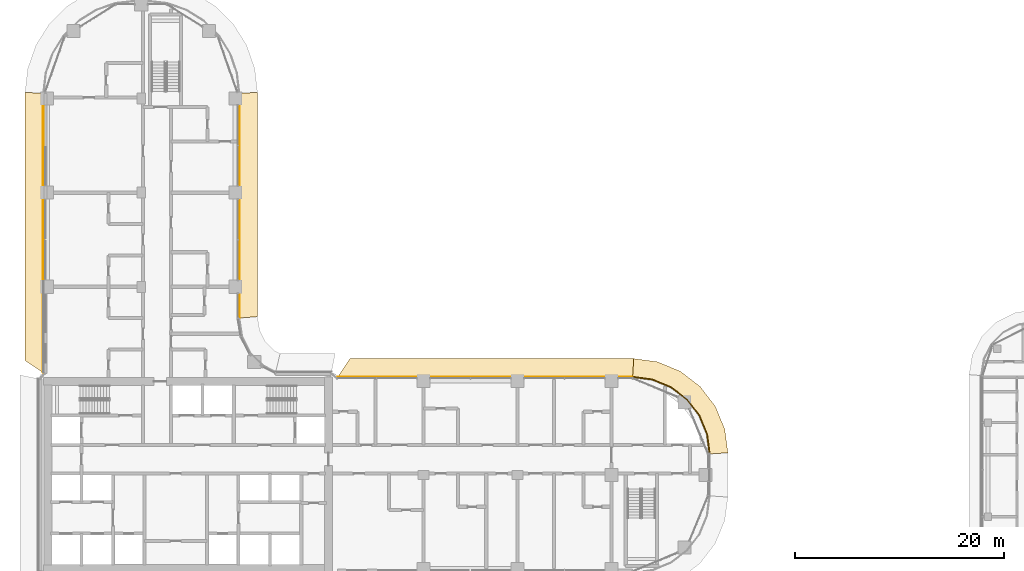
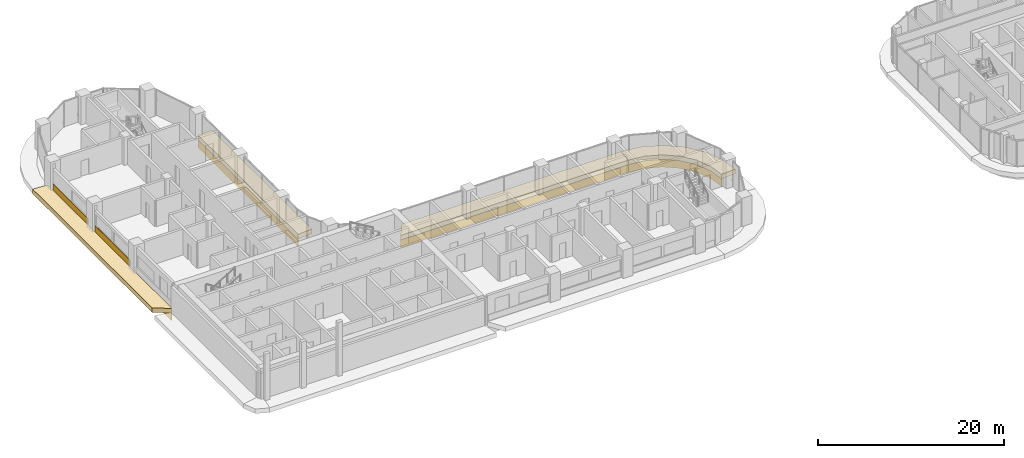
# One storey, part 29 of 33: 10 coverings.
"""IFC4 building model written with IfcOpenShell, lengths in metres."""

from ifc_helpers import new_model, si_unit, direction, frame, origin, origin_2d, place, context, subcontext, project, spatial, polyline, rectangle, outline, extrude, material, layer, layer_set, type_object, element, save


model = new_model("IFC4")

# Units and contexts
model_context = context("Model", 3, precision=1e-05, world=origin(), true_north=direction((0.0, 1.0)))
body_context = subcontext(model_context, "Body", "Model", "MODEL_VIEW")
ifc_project = project(units=[si_unit("LENGTHUNIT", "METRE"), si_unit("AREAUNIT", "SQUARE_METRE"), si_unit("VOLUMEUNIT", "CUBIC_METRE"), si_unit("PLANEANGLEUNIT", "RADIAN"), si_unit("MASSUNIT", "GRAM", prefix="KILO")], contexts=[model_context])

# Site, building, storey
site_placement = place(None, origin())
site = spatial("IfcSite", under=ifc_project, at=site_placement, CompositionType="ELEMENT")
building_placement = place(site_placement, origin())
building = spatial("IfcBuilding", under=site, at=building_placement, Name="Ogive Portal Towers", CompositionType="ELEMENT")
storey_placement = place(building_placement, frame((0.0, 0.0, 98.199951171875)))
storey = spatial("IfcBuildingStorey", under=building, at=storey_placement, Name="L23", CompositionType="ELEMENT", Elevation=98.199951171875)

# Coverings
ifc_material = material(Name="Limestone cladding on lightweight block wall", Category="masonry")
ifc_layer_1 = layer(ifc_material, 0.050048828125)
ifc_layer_set_1 = layer_set([ifc_layer_1], Name="SCREEN PERFORATED STONE")
covering_type_1 = type_object("IfcCoveringType", Name="SCREEN PERFORATED STONE", PredefinedType="CLADDING", material=ifc_layer_set_1)
for number, where, z_axis, x_axis, name in (
    (1, (31.155029296875, 62.0, 0.10009765625), (0.0, 0.0, 1.0), (0.0, -1.0, 0.0), "Tracery screen"),
    (2, (31.155029296875, 53.0, 0.10009765625), (0.0, 0.0, 1.0), (0.0, -1.0, 0.0), "Tracery screen"),
):
    element("IfcCovering", number, at=place(storey_placement, frame(where, z_axis=z_axis, x_axis=x_axis)), inside=storey, type_object=covering_type_1, Name=name, PredefinedType="CLADDING", context=body_context, shape_type="SweptSolid", body=[
        extrude(rectangle(XDim=7.550048828125, YDim=0.050048828125, at=origin_2d()), origin(), (0.0, 0.0, 1.0), 0.800048828125),
    ])
ifc_layer_2 = layer(ifc_material, 0.080078125)
ifc_layer_set_2 = layer_set([ifc_layer_2], Name="STONE SPANDREL 80")
covering_type_2 = type_object("IfcCoveringType", Name="STONE SPANDREL 80", PredefinedType="CLADDING", material=ifc_layer_set_2)
covering_1_placement = place(storey_placement, frame((0.0, 0.0, -1.599853515625)))
element("IfcCovering", 3, at=covering_1_placement, inside=storey, type_object=covering_type_2, Name="Stone spandrel A1-F04", PredefinedType="CLADDING", context=body_context, shape_type="SweptSolid", body=[
    extrude(outline(polyline([(49.820068359375, 45.5), (49.820068359375, 67.0), (49.89990234375, 67.00439453125), (49.89990234375, 45.50634765625), (49.820068359375, 45.5)])), origin(), (0.0, 0.0, 1.0), 1.0),
])
covering_2_placement = place(storey_placement, frame((0.0, 0.0, -1.599853515625)))
element("IfcCovering", 4, at=covering_2_placement, inside=storey, type_object=covering_type_2, Name="Stone spandrel A1-F06", PredefinedType="CLADDING", context=body_context, shape_type="SweptSolid", body=[
    extrude(outline(polyline([(31.179931640625, 67.0), (31.179931640625, 40.250244140625), (31.10009765625, 40.3037109375), (31.10009765625, 67.00439453125), (31.179931640625, 67.0)])), origin(), (0.0, 0.0, 1.0), 1.0),
])
covering_3_placement = place(storey_placement, frame((0.0, 0.0, -1.599853515625)))
element("IfcCovering", 5, at=covering_3_placement, inside=storey, type_object=covering_type_2, Name="Stone spandrel A1-F15", PredefinedType="CLADDING", context=body_context, shape_type="SweptSolid", body=[
    extrude(outline(polyline([(94.820068359375, 32.5), (94.570556640625, 34.39453125), (93.83935546875, 36.159912109375), (92.676025390625, 37.676025390625), (91.159912109375, 38.83935546875), (89.39453125, 39.570556640625), (87.5, 39.820068359375), (87.505126953125, 39.89990234375), (89.41552734375, 39.6484375), (91.200439453125, 38.9091796875), (92.733154296875, 37.733154296875), (93.9091796875, 36.200439453125), (94.6484375, 34.41552734375), (94.89990234375, 32.505126953125), (94.820068359375, 32.5)])), origin(), (0.0, 0.0, 1.0), 1.0),
])
covering_4_placement = place(storey_placement, frame((0.0, 0.0, -1.599853515625)))
element("IfcCovering", 6, at=covering_4_placement, inside=storey, type_object=covering_type_2, Name="Stone spandrel A1-F16", PredefinedType="CLADDING", context=body_context, shape_type="SweptSolid", body=[
    extrude(outline(polyline([(87.5, 39.820068359375), (59.250244140625, 39.820068359375), (59.3037109375, 39.89990234375), (87.505126953125, 39.89990234375), (87.5, 39.820068359375)])), origin(), (0.0, 0.0, 1.0), 1.0),
])
ifc_layer_3 = layer(ifc_material, 0.60009765625)
ifc_layer_set_3 = layer_set([ifc_layer_3], Name="SUNSHADE LIP 600")
covering_type_3 = type_object("IfcCoveringType", Name="SUNSHADE LIP 600", PredefinedType="CLADDING", material=ifc_layer_set_3)
covering_5_placement = place(storey_placement, frame((0.0, 0.0, -0.599853515625)))
element("IfcCovering", 7, at=covering_5_placement, inside=storey, type_object=covering_type_3, Name="Sunshade lip A1-F04", PredefinedType="CLADDING", context=body_context, shape_type="SweptSolid", body=[
    extrude(outline(polyline([(49.820068359375, 45.5), (49.820068359375, 67.0), (51.6201171875, 67.10107421875), (51.6201171875, 45.6416015625), (49.820068359375, 45.5)])), origin(), (0.0, 0.0, 1.0), 0.599853515625),
])
covering_6_placement = place(storey_placement, frame((0.0, 0.0, -0.599853515625)))
element("IfcCovering", 8, at=covering_6_placement, inside=storey, type_object=covering_type_3, Name="Sunshade lip A1-F06", PredefinedType="CLADDING", context=body_context, shape_type="SweptSolid", body=[
    extrude(outline(polyline([(31.179931640625, 67.0), (31.179931640625, 40.250244140625), (29.3798828125, 41.453125), (29.3798828125, 67.10107421875), (31.179931640625, 67.0)])), origin(), (0.0, 0.0, 1.0), 0.599853515625),
])
covering_7_placement = place(storey_placement, frame((0.0, 0.0, -0.599853515625)))
element("IfcCovering", 9, at=covering_7_placement, inside=storey, type_object=covering_type_3, Name="Sunshade lip A1-F15", PredefinedType="CLADDING", context=body_context, shape_type="SweptSolid", body=[
    extrude(outline(polyline([(94.820068359375, 32.5), (94.570556640625, 34.39453125), (93.83935546875, 36.159912109375), (92.676025390625, 37.676025390625), (91.159912109375, 38.83935546875), (89.39453125, 39.570556640625), (87.5, 39.820068359375), (87.617919921875, 41.6201171875), (89.864501953125, 41.32421875), (92.06787109375, 40.41162109375), (93.959716796875, 38.959716796875), (95.41162109375, 37.06787109375), (96.32421875, 34.864501953125), (96.6201171875, 32.617919921875), (94.820068359375, 32.5)])), origin(), (0.0, 0.0, 1.0), 0.599853515625),
])
covering_8_placement = place(storey_placement, frame((0.0, 0.0, -0.599853515625)))
element("IfcCovering", 10, at=covering_8_placement, inside=storey, type_object=covering_type_3, Name="Sunshade lip A1-F16", PredefinedType="CLADDING", context=body_context, shape_type="SweptSolid", body=[
    extrude(outline(polyline([(87.5, 39.820068359375), (59.250244140625, 39.820068359375), (60.453125, 41.6201171875), (87.617919921875, 41.6201171875), (87.5, 39.820068359375)])), origin(), (0.0, 0.0, 1.0), 0.599853515625),
])

save(model, "model.ifc")
